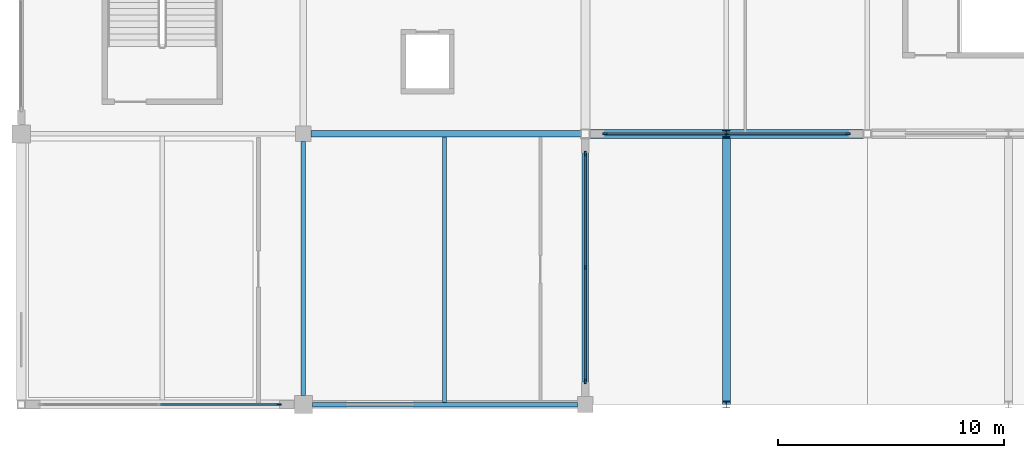
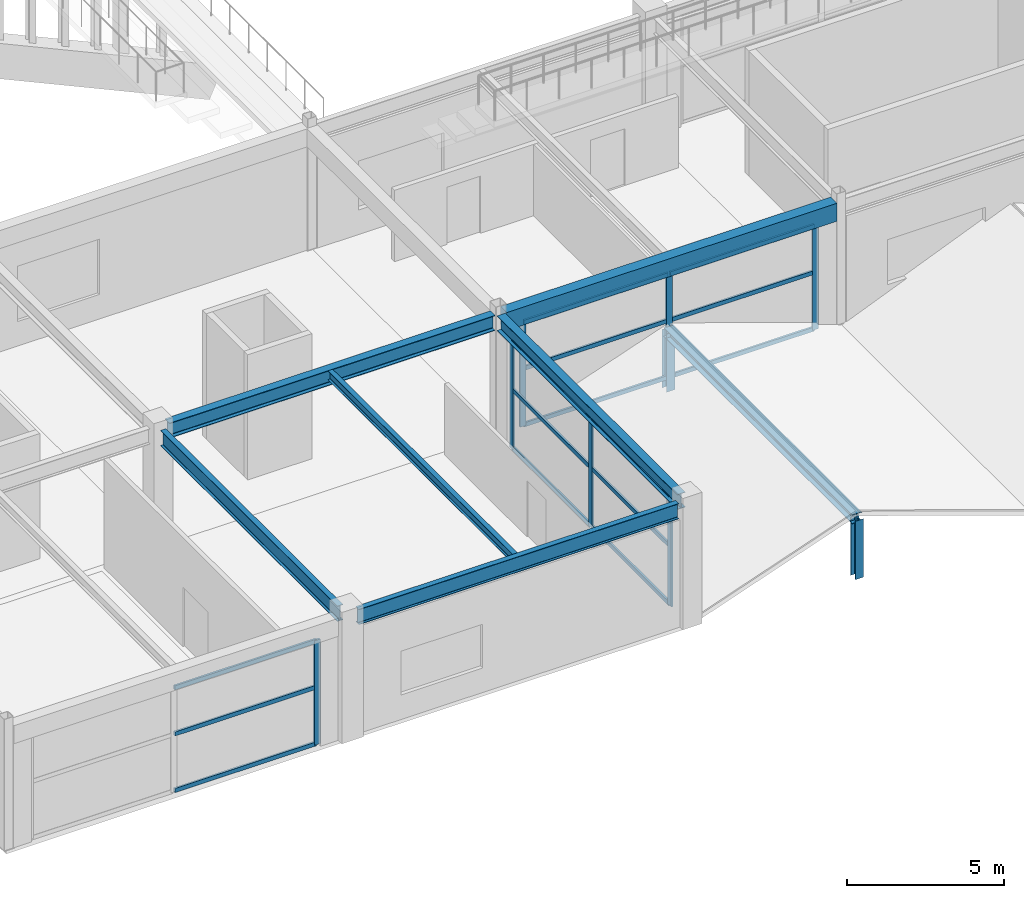
# One storey, part 27 of 128: 25 members, 6 beams, 3 elements without a shape of their own.
"""IFC4 building model written with IfcOpenShell, lengths in metres."""

from ifc_helpers import new_model, si_unit, direction, frame, origin, origin_2d, place, context, subcontext, project, spatial, rectangle, i_section, extrude, material, layer, layer_set, material_profile, profile_set, type_object, element, aggregate, save


model = new_model("IFC4")

# Units and contexts
model_context = context("Model", 3, precision=1e-05, world=origin(), true_north=direction((0.0, 1.0)))
body_context = subcontext(model_context, "Body", "Model", "MODEL_VIEW")
ifc_project = project(units=[si_unit("LENGTHUNIT", "METRE"), si_unit("AREAUNIT", "SQUARE_METRE"), si_unit("VOLUMEUNIT", "CUBIC_METRE"), si_unit("PLANEANGLEUNIT", "RADIAN"), si_unit("MASSUNIT", "GRAM", prefix="KILO")], contexts=[model_context])

# Site, building, storey
site_placement = place(None, origin())
site = spatial("IfcSite", under=ifc_project, at=site_placement, CompositionType="ELEMENT")
building_placement = place(site_placement, origin())
building = spatial("IfcBuilding", under=site, at=building_placement, Name="Kazenohara Klinker Stadium", CompositionType="ELEMENT")
storey_placement = place(building_placement, frame((0.0, 0.0, 15.300048828125)))
storey = spatial("IfcBuildingStorey", under=building, at=storey_placement, Name="L03", CompositionType="ELEMENT", Elevation=15.300048828125)

# Beams
ifc_material_1 = material(Name="Steel S355", Category="steel")
ifc_material_profile_1 = material_profile(ifc_material_1, i_section(OverallWidth=0.175048828125, OverallDepth=0.35009765625, WebThickness=0.007080078125, FlangeThickness=0.010986328125, FilletRadius=0.012939453125, at=origin_2d()), Name="H-350x175x7x11")
ifc_profile_set_1 = profile_set([ifc_material_profile_1], Name="Steel S355")
beam_type_1 = type_object("IfcBeamType", Name="BM-JST04", PredefinedType="JOIST", material=ifc_profile_set_1)
beam_1_placement = place(storey_placement, frame((42.75, 12.10009765625, 4.5849609375), z_axis=(0.0, 1.0, 0.0), x_axis=(-1.0, 0.0, 0.0)))
element("IfcBeam", 1, at=beam_1_placement, inside=storey, type_object=beam_type_1, Name="Secondary floor joist SJ04 L03 4/B", PredefinedType="JOIST", context=body_context, shape_type="SweptSolid", body=[
    extrude(i_section(OverallWidth=0.175048828125, OverallDepth=0.35009765625, WebThickness=0.007080078125, FlangeThickness=0.010986328125, FilletRadius=0.012939453125, at=origin_2d()), origin(), (0.0, 0.0, 1.0), 11.75),
])
ifc_material_2 = material(Name="Concrete C40/50", Category="concrete")
ifc_material_profile_2 = material_profile(ifc_material_2, rectangle(XDim=0.39990234375, YDim=0.699951171875, at=origin_2d()), Name="RC-BM-400x700")
ifc_profile_set_2 = profile_set([ifc_material_profile_2], Name="Concrete C40/50")
beam_type_2 = type_object("IfcBeamType", Name="BM-RC04", PredefinedType="BEAM", material=ifc_profile_set_2)
beam_2_placement = place(storey_placement, frame((49.199951171875, 24.0, 4.409912109375), z_axis=(1.0, 0.0, 0.0), x_axis=(0.0, 1.0, 0.0)))
element("IfcBeam", 2, at=beam_2_placement, inside=storey, type_object=beam_type_2, Name="Primary girder BG04 L03 5-6/C", PredefinedType="BEAM", context=body_context, shape_type="SweptSolid", body=[
    extrude(rectangle(XDim=0.39990234375, YDim=0.699951171875, at=origin_2d()), origin(), (0.0, 0.0, 1.0), 12.125),
])
ifc_material_profile_3 = material_profile(ifc_material_1, i_section(OverallWidth=0.199951171875, OverallDepth=0.60009765625, WebThickness=0.010986328125, FlangeThickness=0.01708984375, FilletRadius=0.012939453125, at=origin_2d()), Name="H-600x200x11x17")
ifc_profile_set_3 = profile_set([ifc_material_profile_3], Name="Steel S355")
beam_type_3 = type_object("IfcBeamType", Name="BM-ST04", PredefinedType="BEAM", material=ifc_profile_set_3)
beam_3_placement = place(storey_placement, frame((36.89990234375, 12.0, 4.4599609375), z_axis=(1.0, 0.0, 0.0), x_axis=(0.0, 1.0, 0.0)))
element("IfcBeam", 3, at=beam_3_placement, inside=storey, type_object=beam_type_3, Name="Primary girder SB04 L03 4-5/B", PredefinedType="BEAM", context=body_context, shape_type="SweptSolid", body=[
    extrude(i_section(OverallWidth=0.199951171875, OverallDepth=0.60009765625, WebThickness=0.010986328125, FlangeThickness=0.01708984375, FilletRadius=0.012939453125, at=origin_2d()), origin(), (0.0, 0.0, 1.0), 11.75),
])
beam_4_placement = place(storey_placement, frame((36.5, 12.39990234375, 4.4599609375), z_axis=(0.0, 1.0, 0.0), x_axis=(-1.0, 0.0, 0.0)))
element("IfcBeam", 4, at=beam_4_placement, inside=storey, type_object=beam_type_3, Name="Primary girder SB04 L03 4/B-C", PredefinedType="BEAM", context=body_context, shape_type="SweptSolid", body=[
    extrude(i_section(OverallWidth=0.199951171875, OverallDepth=0.60009765625, WebThickness=0.010986328125, FlangeThickness=0.01708984375, FilletRadius=0.012939453125, at=origin_2d()), origin(), (0.0, 0.0, 1.0), 11.25),
])
ifc_material_profile_4 = material_profile(ifc_material_1, i_section(OverallWidth=0.300048828125, OverallDepth=0.587890625, WebThickness=0.011962890625, FlangeThickness=0.02001953125, FilletRadius=0.02197265625, at=origin_2d()), Name="H-588x300x12x20")
ifc_profile_set_4 = profile_set([ifc_material_profile_4], Name="Steel S355")
beam_type_4 = type_object("IfcBeamType", Name="BM-ST05", PredefinedType="BEAM", material=ifc_profile_set_4)
beam_5_placement = place(storey_placement, frame((36.85009765625, 24.0, 4.466064453125), z_axis=(1.0, 0.0, 0.0), x_axis=(0.0, 1.0, 0.0)))
element("IfcBeam", 5, at=beam_5_placement, inside=storey, type_object=beam_type_4, Name="Primary girder SB05 L03 4-5/C", PredefinedType="BEAM", context=body_context, shape_type="SweptSolid", body=[
    extrude(i_section(OverallWidth=0.300048828125, OverallDepth=0.587890625, WebThickness=0.011962890625, FlangeThickness=0.02001953125, FilletRadius=0.02197265625, at=origin_2d()), origin(), (0.0, 0.0, 1.0), 11.949951171875),
])
beam_6_placement = place(storey_placement, frame((49.0, 12.35009765625, 4.466064453125), z_axis=(0.0, 1.0, 0.0), x_axis=(-1.0, 0.0, 0.0)))
element("IfcBeam", 6, at=beam_6_placement, inside=storey, type_object=beam_type_4, Name="Primary girder SB05 L03 5/B-C", PredefinedType="BEAM", context=body_context, shape_type="SweptSolid", body=[
    extrude(i_section(OverallWidth=0.300048828125, OverallDepth=0.587890625, WebThickness=0.011962890625, FlangeThickness=0.02001953125, FilletRadius=0.02197265625, at=origin_2d()), origin(), (0.0, 0.0, 1.0), 11.449951171875),
])

# Curtain wall, member
ifc_material_3 = material(Name="Anodised aluminium and triple glazing", Category="aluminium")
ifc_layer_1 = layer(ifc_material_3, 0.169921875)
ifc_layer_set_1 = layer_set([ifc_layer_1], Name="Anodised aluminium and triple glazing")
curtain_wall_type_1 = type_object("IfcCurtainWallType", Name="CW-SYS-04", PredefinedType="USERDEFINED", material=ifc_layer_set_1)
curtain_wall_1_placement = place(storey_placement, origin())
curtain_wall_1 = element("IfcCurtainWall", 7, at=curtain_wall_1_placement, inside=storey, type_object=curtain_wall_type_1, Name="Unitised facade curtain wall CW04 L03 X2-1", ObjectType="UNITISED CURTAIN WALL", PredefinedType="USERDEFINED")
ifc_material_4 = material(Name="Anodised aluminium 6063-T6", Category="aluminium")
ifc_material_profile_5 = material_profile(ifc_material_4, rectangle(XDim=0.074951171875, YDim=0.219970703125, at=origin_2d()), Name="ALU-MUL-75x220")
ifc_profile_set_5 = profile_set([ifc_material_profile_5], Name="Anodised aluminium 6063-T6")
member_type_1 = type_object("IfcMemberType", Name="CW-MUL-220", PredefinedType="MULLION", material=ifc_profile_set_5)
member_1_placement = place(storey_placement, frame((35.408447265625, 12.0, 0.0), z_axis=(0.0, 0.0, 1.0), x_axis=(0.0, 1.0, 0.0)))
member_1 = element("IfcMember", 8, at=member_1_placement, type_object=member_type_1, Name="CW04 mullion 3", PredefinedType="MULLION", context=body_context, shape_type="SweptSolid", body=[
    extrude(rectangle(XDim=0.074951171875, YDim=0.219970703125, at=origin_2d()), origin(), (0.0, 0.0, 1.0), 4.06005859375),
])

# Curtain wall, members
ifc_layer_2 = layer(ifc_material_3, 0.179931640625)
ifc_layer_set_2 = layer_set([ifc_layer_2], Name="Anodised aluminium and triple glazing")
curtain_wall_type_2 = type_object("IfcCurtainWallType", Name="CW-SYS-02", PredefinedType="USERDEFINED", material=ifc_layer_set_2)
curtain_wall_2_placement = place(storey_placement, origin())
curtain_wall_2 = element("IfcCurtainWall", 9, at=curtain_wall_2_placement, inside=storey, type_object=curtain_wall_type_2, Name="Unitised facade curtain wall CW02 L03 Y4-1", ObjectType="UNITISED CURTAIN WALL", PredefinedType="USERDEFINED")
member_2_placement = place(storey_placement, frame((49.0, 13.04150390625, 0.0), z_axis=(0.0, 0.0, 1.0), x_axis=(-1.0, 0.0, 0.0)))
member_2 = element("IfcMember", 10, at=member_2_placement, type_object=member_type_1, Name="CW02 mullion 1", PredefinedType="MULLION", context=body_context, shape_type="SweptSolid", body=[
    extrude(rectangle(XDim=0.074951171875, YDim=0.219970703125, at=origin_2d()), origin(), (0.0, 0.0, 1.0), 4.171875),
])
member_3_placement = place(storey_placement, frame((49.0, 18.074951171875, 0.0), z_axis=(0.0, 0.0, 1.0), x_axis=(-1.0, 0.0, 0.0)))
member_3 = element("IfcMember", 11, at=member_3_placement, type_object=member_type_1, Name="CW02 mullion 2", PredefinedType="MULLION", context=body_context, shape_type="SweptSolid", body=[
    extrude(rectangle(XDim=0.074951171875, YDim=0.219970703125, at=origin_2d()), origin(), (0.0, 0.0, 1.0), 4.171875),
])
member_4_placement = place(storey_placement, frame((49.0, 23.1083984375, 0.0), z_axis=(0.0, 0.0, 1.0), x_axis=(-1.0, 0.0, 0.0)))
member_4 = element("IfcMember", 12, at=member_4_placement, type_object=member_type_1, Name="CW02 mullion 3", PredefinedType="MULLION", context=body_context, shape_type="SweptSolid", body=[
    extrude(rectangle(XDim=0.074951171875, YDim=0.219970703125, at=origin_2d()), origin(), (0.0, 0.0, 1.0), 4.171875),
])

ifc_layer_3 = layer(ifc_material_3, 0.199951171875)
ifc_layer_set_3 = layer_set([ifc_layer_3], Name="Anodised aluminium and triple glazing")
curtain_wall_type_3 = type_object("IfcCurtainWallType", Name="CW-SYS-03", PredefinedType="USERDEFINED", material=ifc_layer_set_3)
curtain_wall_3_placement = place(storey_placement, origin())
curtain_wall_3 = element("IfcCurtainWall", 13, at=curtain_wall_3_placement, inside=storey, type_object=curtain_wall_type_3, Name="Unitised facade curtain wall CW03 L03 X4-2", ObjectType="UNITISED CURTAIN WALL", PredefinedType="USERDEFINED")
member_5_placement = place(storey_placement, frame((49.8916015625, 24.0, 0.0), z_axis=(0.0, 0.0, 1.0), x_axis=(0.0, 1.0, 0.0)))
member_5 = element("IfcMember", 14, at=member_5_placement, type_object=member_type_1, Name="CW03 mullion 1", PredefinedType="MULLION", context=body_context, shape_type="SweptSolid", body=[
    extrude(rectangle(XDim=0.074951171875, YDim=0.219970703125, at=origin_2d()), origin(), (0.0, 0.0, 1.0), 4.06005859375),
])
member_6_placement = place(storey_placement, frame((55.262451171875, 24.0, 0.0), z_axis=(0.0, 0.0, 1.0), x_axis=(0.0, 1.0, 0.0)))
member_6 = element("IfcMember", 15, at=member_6_placement, type_object=member_type_1, Name="CW03 mullion 2", PredefinedType="MULLION", context=body_context, shape_type="SweptSolid", body=[
    extrude(rectangle(XDim=0.074951171875, YDim=0.219970703125, at=origin_2d()), origin(), (0.0, 0.0, 1.0), 4.06005859375),
])
member_7_placement = place(storey_placement, frame((60.633544921875, 24.0, 0.0), z_axis=(0.0, 0.0, 1.0), x_axis=(0.0, 1.0, 0.0)))
member_7 = element("IfcMember", 16, at=member_7_placement, type_object=member_type_1, Name="CW03 mullion 3", PredefinedType="MULLION", context=body_context, shape_type="SweptSolid", body=[
    extrude(rectangle(XDim=0.074951171875, YDim=0.219970703125, at=origin_2d()), origin(), (0.0, 0.0, 1.0), 4.06005859375),
])

# Member
ifc_material_profile_6 = material_profile(ifc_material_4, rectangle(XDim=0.074951171875, YDim=0.159912109375, at=origin_2d()), Name="ALU-TRN-75x160")
ifc_profile_set_6 = profile_set([ifc_material_profile_6], Name="Anodised aluminium 6063-T6")
member_type_2 = type_object("IfcMemberType", Name="CW-TRN-160", PredefinedType="USERDEFINED", material=ifc_profile_set_6)
member_8_placement = place(storey_placement, frame((30.175048828125, 12.0, 0.037353515625), z_axis=(1.0, 0.0, 0.0), x_axis=(0.0, 1.0, 0.0)))
member_8 = element("IfcMember", 17, at=member_8_placement, type_object=member_type_2, Name="CW04 transom 2.1", ObjectType="TRANSOM", PredefinedType="USERDEFINED", context=body_context, shape_type="SweptSolid", body=[
    extrude(rectangle(XDim=0.074951171875, YDim=0.159912109375, at=origin_2d()), origin(), (0.0, 0.0, 1.0), 5.196044921875),
])

member_9_placement = place(storey_placement, frame((30.175048828125, 12.0, 2.23291015625), z_axis=(1.0, 0.0, 0.0), x_axis=(0.0, 1.0, 0.0)))
member_9 = element("IfcMember", 18, at=member_9_placement, type_object=member_type_2, Name="CW04 transom 2.2", ObjectType="TRANSOM", PredefinedType="USERDEFINED", context=body_context, shape_type="SweptSolid", body=[
    extrude(rectangle(XDim=0.074951171875, YDim=0.159912109375, at=origin_2d()), origin(), (0.0, 0.0, 1.0), 5.196044921875),
])

member_10_placement = place(storey_placement, frame((30.175048828125, 12.0, 4.0224609375), z_axis=(1.0, 0.0, 0.0), x_axis=(0.0, 1.0, 0.0)))
member_10 = element("IfcMember", 19, at=member_10_placement, type_object=member_type_2, Name="CW04 transom 2.3", ObjectType="TRANSOM", PredefinedType="USERDEFINED", context=body_context, shape_type="SweptSolid", body=[
    extrude(rectangle(XDim=0.074951171875, YDim=0.159912109375, at=origin_2d()), origin(), (0.0, 0.0, 1.0), 5.196044921875),
])

aggregate(curtain_wall_1, [member_1, member_8, member_9, member_10])

member_11_placement = place(storey_placement, frame((49.0, 13.0791015625, 0.037353515625), z_axis=(0.0, 1.0, 0.0), x_axis=(-1.0, 0.0, 0.0)))
member_11 = element("IfcMember", 20, at=member_11_placement, type_object=member_type_2, Name="CW02 transom 1.1", ObjectType="TRANSOM", PredefinedType="USERDEFINED", context=body_context, shape_type="SweptSolid", body=[
    extrude(rectangle(XDim=0.074951171875, YDim=0.159912109375, at=origin_2d()), origin(), (0.0, 0.0, 1.0), 4.95849609375),
])

member_12_placement = place(storey_placement, frame((49.0, 13.0791015625, 2.29443359375), z_axis=(0.0, 1.0, 0.0), x_axis=(-1.0, 0.0, 0.0)))
member_12 = element("IfcMember", 21, at=member_12_placement, type_object=member_type_2, Name="CW02 transom 1.2", ObjectType="TRANSOM", PredefinedType="USERDEFINED", context=body_context, shape_type="SweptSolid", body=[
    extrude(rectangle(XDim=0.074951171875, YDim=0.159912109375, at=origin_2d()), origin(), (0.0, 0.0, 1.0), 4.95849609375),
])

member_13_placement = place(storey_placement, frame((49.0, 13.0791015625, 4.134521484375), z_axis=(0.0, 1.0, 0.0), x_axis=(-1.0, 0.0, 0.0)))
member_13 = element("IfcMember", 22, at=member_13_placement, type_object=member_type_2, Name="CW02 transom 1.3", ObjectType="TRANSOM", PredefinedType="USERDEFINED", context=body_context, shape_type="SweptSolid", body=[
    extrude(rectangle(XDim=0.074951171875, YDim=0.159912109375, at=origin_2d()), origin(), (0.0, 0.0, 1.0), 4.95849609375),
])

member_14_placement = place(storey_placement, frame((49.0, 18.112548828125, 0.037353515625), z_axis=(0.0, 1.0, 0.0), x_axis=(-1.0, 0.0, 0.0)))
member_14 = element("IfcMember", 23, at=member_14_placement, type_object=member_type_2, Name="CW02 transom 2.1", ObjectType="TRANSOM", PredefinedType="USERDEFINED", context=body_context, shape_type="SweptSolid", body=[
    extrude(rectangle(XDim=0.074951171875, YDim=0.159912109375, at=origin_2d()), origin(), (0.0, 0.0, 1.0), 4.95849609375),
])

member_15_placement = place(storey_placement, frame((49.0, 18.112548828125, 2.29443359375), z_axis=(0.0, 1.0, 0.0), x_axis=(-1.0, 0.0, 0.0)))
member_15 = element("IfcMember", 24, at=member_15_placement, type_object=member_type_2, Name="CW02 transom 2.2", ObjectType="TRANSOM", PredefinedType="USERDEFINED", context=body_context, shape_type="SweptSolid", body=[
    extrude(rectangle(XDim=0.074951171875, YDim=0.159912109375, at=origin_2d()), origin(), (0.0, 0.0, 1.0), 4.95849609375),
])

member_16_placement = place(storey_placement, frame((49.0, 18.112548828125, 4.134521484375), z_axis=(0.0, 1.0, 0.0), x_axis=(-1.0, 0.0, 0.0)))
member_16 = element("IfcMember", 25, at=member_16_placement, type_object=member_type_2, Name="CW02 transom 2.3", ObjectType="TRANSOM", PredefinedType="USERDEFINED", context=body_context, shape_type="SweptSolid", body=[
    extrude(rectangle(XDim=0.074951171875, YDim=0.159912109375, at=origin_2d()), origin(), (0.0, 0.0, 1.0), 4.95849609375),
])

aggregate(curtain_wall_2, [member_2, member_3, member_4, member_11, member_12, member_13, member_14, member_15, member_16])

member_17_placement = place(storey_placement, frame((49.928955078125, 24.0, 0.037353515625), z_axis=(1.0, 0.0, 0.0), x_axis=(0.0, 1.0, 0.0)))
member_17 = element("IfcMember", 26, at=member_17_placement, type_object=member_type_2, Name="CW03 transom 1.1", ObjectType="TRANSOM", PredefinedType="USERDEFINED", context=body_context, shape_type="SweptSolid", body=[
    extrude(rectangle(XDim=0.074951171875, YDim=0.159912109375, at=origin_2d()), origin(), (0.0, 0.0, 1.0), 5.296142578125),
])

member_18_placement = place(storey_placement, frame((49.928955078125, 24.0, 2.23291015625), z_axis=(1.0, 0.0, 0.0), x_axis=(0.0, 1.0, 0.0)))
member_18 = element("IfcMember", 27, at=member_18_placement, type_object=member_type_2, Name="CW03 transom 1.2", ObjectType="TRANSOM", PredefinedType="USERDEFINED", context=body_context, shape_type="SweptSolid", body=[
    extrude(rectangle(XDim=0.074951171875, YDim=0.159912109375, at=origin_2d()), origin(), (0.0, 0.0, 1.0), 5.296142578125),
])

member_19_placement = place(storey_placement, frame((49.928955078125, 24.0, 4.0224609375), z_axis=(1.0, 0.0, 0.0), x_axis=(0.0, 1.0, 0.0)))
member_19 = element("IfcMember", 28, at=member_19_placement, type_object=member_type_2, Name="CW03 transom 1.3", ObjectType="TRANSOM", PredefinedType="USERDEFINED", context=body_context, shape_type="SweptSolid", body=[
    extrude(rectangle(XDim=0.074951171875, YDim=0.159912109375, at=origin_2d()), origin(), (0.0, 0.0, 1.0), 5.296142578125),
])

member_20_placement = place(storey_placement, frame((55.300048828125, 24.0, 0.037353515625), z_axis=(1.0, 0.0, 0.0), x_axis=(0.0, 1.0, 0.0)))
member_20 = element("IfcMember", 29, at=member_20_placement, type_object=member_type_2, Name="CW03 transom 2.1", ObjectType="TRANSOM", PredefinedType="USERDEFINED", context=body_context, shape_type="SweptSolid", body=[
    extrude(rectangle(XDim=0.074951171875, YDim=0.159912109375, at=origin_2d()), origin(), (0.0, 0.0, 1.0), 5.2958984375),
])

member_21_placement = place(storey_placement, frame((55.300048828125, 24.0, 2.23291015625), z_axis=(1.0, 0.0, 0.0), x_axis=(0.0, 1.0, 0.0)))
member_21 = element("IfcMember", 30, at=member_21_placement, type_object=member_type_2, Name="CW03 transom 2.2", ObjectType="TRANSOM", PredefinedType="USERDEFINED", context=body_context, shape_type="SweptSolid", body=[
    extrude(rectangle(XDim=0.074951171875, YDim=0.159912109375, at=origin_2d()), origin(), (0.0, 0.0, 1.0), 5.2958984375),
])

member_22_placement = place(storey_placement, frame((55.300048828125, 24.0, 4.0224609375), z_axis=(1.0, 0.0, 0.0), x_axis=(0.0, 1.0, 0.0)))
member_22 = element("IfcMember", 31, at=member_22_placement, type_object=member_type_2, Name="CW03 transom 2.3", ObjectType="TRANSOM", PredefinedType="USERDEFINED", context=body_context, shape_type="SweptSolid", body=[
    extrude(rectangle(XDim=0.074951171875, YDim=0.159912109375, at=origin_2d()), origin(), (0.0, 0.0, 1.0), 5.2958984375),
])

aggregate(curtain_wall_3, [member_5, member_6, member_7, member_17, member_18, member_19, member_20, member_21, member_22])

# Members
ifc_material_profile_7 = material_profile(ifc_material_1, i_section(OverallWidth=0.35009765625, OverallDepth=0.35009765625, WebThickness=0.011962890625, FlangeThickness=0.01904296875, FilletRadius=0.012939453125, at=origin_2d()), Name="H-350x350x12x19")
ifc_profile_set_7 = profile_set([ifc_material_profile_7], Name="Steel S355")
member_type_3 = type_object("IfcMemberType", Name="MEM-CHD02", PredefinedType="CHORD", material=ifc_profile_set_7)
member_23_placement = place(storey_placement, frame((55.25, 12.0, 1.829833984375), z_axis=(0.0, 1.0, 0.0), x_axis=(-1.0, 0.0, 0.0)))
element("IfcMember", 32, at=member_23_placement, inside=storey, type_object=member_type_3, Name="Stepped pavilion gable ridge beam L03 5/B", PredefinedType="CHORD", context=body_context, shape_type="SweptSolid", body=[
    extrude(i_section(OverallWidth=0.35009765625, OverallDepth=0.35009765625, WebThickness=0.011962890625, FlangeThickness=0.01904296875, FilletRadius=0.012939453125, at=origin_2d()), origin(), (0.0, 0.0, 1.0), 12.0),
])
ifc_material_profile_8 = material_profile(ifc_material_1, i_section(OverallWidth=0.300048828125, OverallDepth=0.300048828125, WebThickness=0.010009765625, FlangeThickness=0.014892578125, FilletRadius=0.012939453125, at=origin_2d()), Name="H-300x300x10x15")
ifc_profile_set_8 = profile_set([ifc_material_profile_8], Name="Steel S355")
member_type_4 = type_object("IfcMemberType", Name="MEM-STR01", PredefinedType="STRUT", material=ifc_profile_set_8)
for number, where, z_axis, x_axis, name in (
    (33, (55.25, 12.0, -0.429931640625), (0.0, 0.0, 1.0), (1.0, 0.0, 0.0), "Stepped pavilion gable king-post L03 5/B S"),
    (34, (55.25, 24.0, -0.429931640625), (0.0, 0.0, 1.0), (1.0, 0.0, 0.0), "Stepped pavilion gable king-post L03 5/B N"),
):
    element("IfcMember", number, at=place(storey_placement, frame(where, z_axis=z_axis, x_axis=x_axis)), inside=storey, type_object=member_type_4, Name=name, PredefinedType="STRUT", context=body_context, shape_type="SweptSolid", body=[
        extrude(i_section(OverallWidth=0.300048828125, OverallDepth=0.300048828125, WebThickness=0.010009765625, FlangeThickness=0.014892578125, FilletRadius=0.012939453125, at=origin_2d()), origin(), (0.0, 0.0, 1.0), 2.259765625),
    ])

save(model, "model.ifc")
